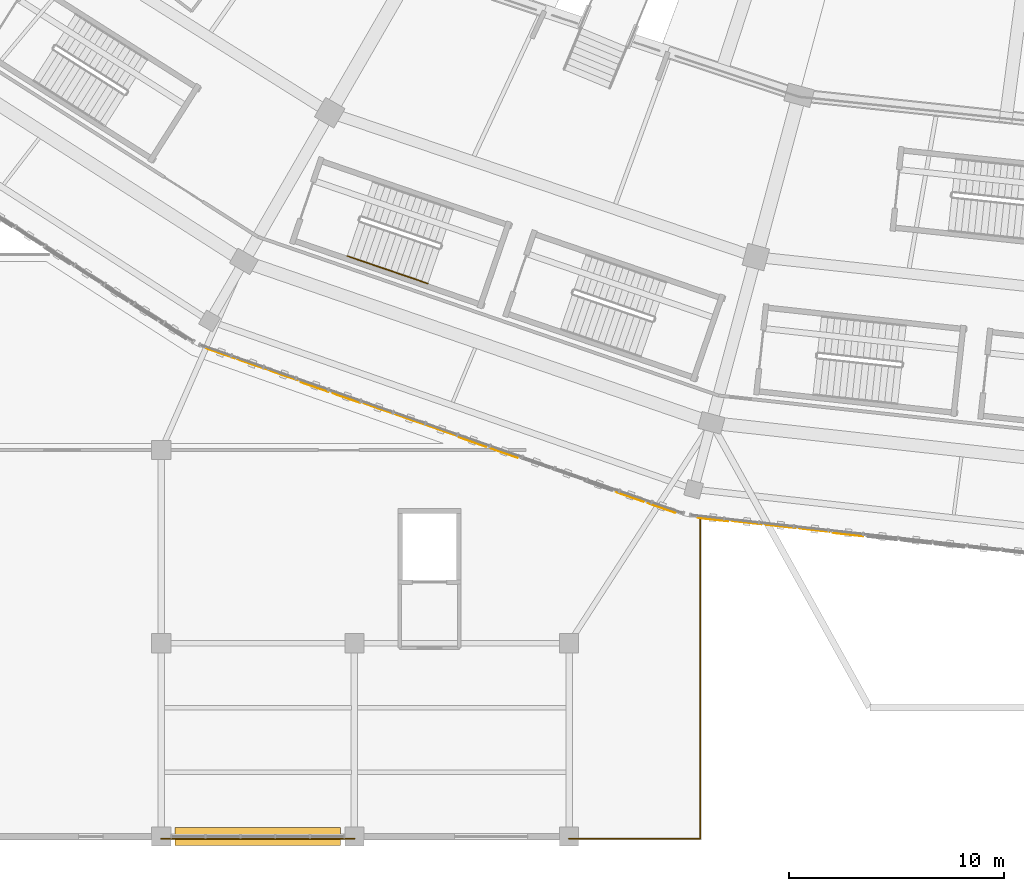
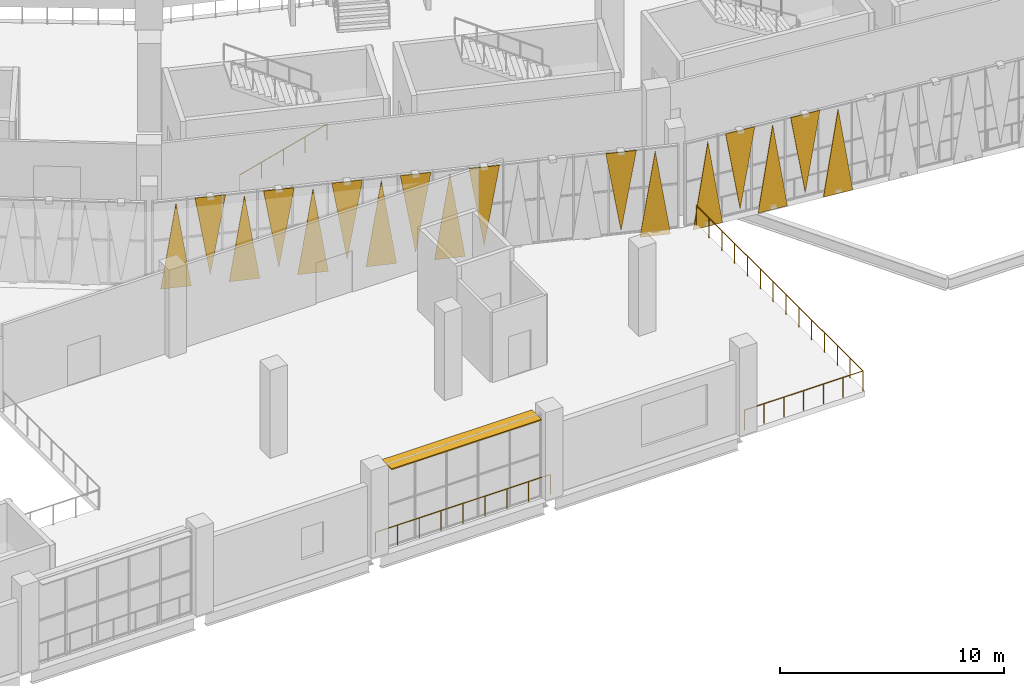
# One storey, part 132 of 183: 17 coverings, 4 railings, 1 shading device.
"""IFC4 building model written with IfcOpenShell, lengths in metres."""

from ifc_helpers import new_model, si_unit, direction, frame, origin, origin_2d, place, context, subcontext, project, spatial, polyline, rectangle, circle, outline, extrude, material, layer, layer_set, type_object, element, save


model = new_model("IFC4")

# Units and contexts
model_context = context("Model", 3, precision=1e-05, world=origin(), true_north=direction((0.0, 1.0)))
body_context = subcontext(model_context, "Body", "Model", "MODEL_VIEW")
ifc_project = project(units=[si_unit("LENGTHUNIT", "METRE"), si_unit("AREAUNIT", "SQUARE_METRE"), si_unit("VOLUMEUNIT", "CUBIC_METRE"), si_unit("PLANEANGLEUNIT", "RADIAN"), si_unit("MASSUNIT", "GRAM", prefix="KILO")], contexts=[model_context])

# Site, building, storey
site_placement = place(None, origin())
site = spatial("IfcSite", under=ifc_project, at=site_placement, CompositionType="ELEMENT")
building_placement = place(site_placement, origin())
building = spatial("IfcBuilding", under=site, at=building_placement, Name="Zevraka Park Crest Stadium", CompositionType="ELEMENT")
storey_placement = place(building_placement, frame((0.0, 0.0, 5.39990234375)))
storey = spatial("IfcBuildingStorey", under=building, at=storey_placement, Name="L01", CompositionType="ELEMENT", Elevation=5.39990234375)

# Coverings
ifc_material_1 = material(Name="Architectural golden-bronze perforated aluminium", Category="aluminium")
ifc_layer_1 = layer(ifc_material_1, 0.034912109375)
ifc_layer_set_1 = layer_set([ifc_layer_1], Name="Architectural golden-bronze perforated aluminium")
covering_type = type_object("IfcCoveringType", Name="CLD01", PredefinedType="CLADDING", material=ifc_layer_set_1)
covering_1_placement = place(storey_placement, frame((65.10009765625, 22.717041015625, -0.260009765625), z_axis=(-0.329742260213, -0.944070993413, 3.5000771e-05), x_axis=(0.944070993992, -0.329742260415, 0.0)))
element("IfcCovering", 1, at=covering_1_placement, inside=storey, type_object=covering_type, Name="Triangular Golden-Bronze Perforated Cladding L01-16-1", PredefinedType="CLADDING", context=body_context, shape_type="SweptSolid", body=[
    extrude(outline(polyline([(0.0, 0.0), (1.394910488333225, 0.0), (0.6979162163316475, 4.600097659067684), (0.0, 0.0)])), origin(), (0.0, 0.0, -1.0), 0.034912109375),
])
covering_2_placement = place(storey_placement, frame((67.885009765625, 21.74609375, 4.5), z_axis=(-0.329118071949, -0.944288766008, 0.000145283153), x_axis=(-0.944288775974, 0.329118075423, 0.0)))
element("IfcCovering", 2, at=covering_2_placement, inside=storey, type_object=covering_type, Name="Triangular Golden-Bronze Perforated Cladding L01-16-2", PredefinedType="CLADDING", context=body_context, shape_type="SweptSolid", body=[
    extrude(outline(polyline([(0.0, 0.0), (1.394588779149717, 0.0), (0.6975947658934869, 4.27978520141713), (0.0, 0.0)])), origin(), (0.0, 0.0, -1.0), 0.034912109375),
])
covering_3_placement = place(storey_placement, frame((68.035888671875, 21.693115234375, -0.260009765625), z_axis=(-0.329437513237, -0.944177370472, 0.000134017736), x_axis=(0.944177378951, -0.329437516195, 0.0)))
element("IfcCovering", 3, at=covering_3_placement, inside=storey, type_object=covering_type, Name="Triangular Golden-Bronze Perforated Cladding L01-16-3", PredefinedType="CLADDING", context=body_context, shape_type="SweptSolid", body=[
    extrude(outline(polyline([(0.0, 0.0), (1.3939775922580644, 0.0), (0.6969029794539805, 4.60009769756061), (0.0, 0.0)])), origin(), (0.0, 0.0, -1.0), 0.034912109375),
])
covering_4_placement = place(storey_placement, frame((70.820068359375, 20.721923828125, 4.5), z_axis=(0.329063673476, 0.944307722555, 0.000154664839), x_axis=(-0.94430773385, 0.329063677412, 0.0)))
element("IfcCovering", 4, at=covering_4_placement, inside=storey, type_object=covering_type, Name="Triangular Golden-Bronze Perforated Cladding L01-16-4", PredefinedType="CLADDING", context=body_context, shape_type="SweptSolid", body=[
    extrude(outline(polyline([(0.0, 0.0), (1.3948193207160489, 0.0), (0.6969939762809247, -4.279785207438826), (0.0, 0.0)])), origin(), (0.0, 0.0, -1.0), 0.034912109375),
])
covering_5_placement = place(storey_placement, frame((70.970947265625, 20.669921875, -0.260009765625), z_axis=(0.329281368902, 0.944231840292, 0.000108964248), x_axis=(0.944231845897, -0.329281370856, 0.0)))
element("IfcCovering", 5, at=covering_5_placement, inside=storey, type_object=covering_type, Name="Triangular Golden-Bronze Perforated Cladding L01-16-5", PredefinedType="CLADDING", context=body_context, shape_type="SweptSolid", body=[
    extrude(outline(polyline([(0.0, 0.0), (1.3938971822371224, 6.776263578034403e-21), (0.6969941103614237, -4.600097683558957), (0.0, 0.0)])), origin(), (0.0, 0.0, -1.0), 0.034912109375),
])
covering_6_placement = place(storey_placement, frame((73.7548828125, 19.698974609375, 4.5), z_axis=(-0.329335834581, -0.94421284489, 0.000107725367), x_axis=(-0.944212850369, 0.329335836492, 0.0)))
element("IfcCovering", 6, at=covering_6_placement, inside=storey, type_object=covering_type, Name="Triangular Golden-Bronze Perforated Cladding L01-16-6", PredefinedType="CLADDING", context=body_context, shape_type="SweptSolid", body=[
    extrude(outline(polyline([(0.0, 0.0), (1.3936666592027187, 0.0), (0.696672521087447, 4.2797851810829295), (0.0, 0.0)])), origin(), (0.0, 0.0, -1.0), 0.034912109375),
])
covering_7_placement = place(storey_placement, frame((73.906005859375, 19.64599609375, -0.260009765625), z_axis=(-0.329118074721, -0.944288773961, 6.5297813e-05), x_axis=(0.944288775974, -0.329118075423, 0.0)))
element("IfcCovering", 7, at=covering_7_placement, inside=storey, type_object=covering_type, Name="Triangular Golden-Bronze Perforated Cladding L01-16-7", PredefinedType="CLADDING", context=body_context, shape_type="SweptSolid", body=[
    extrude(outline(polyline([(0.0, 0.0), (1.394588779149717, -3.3881317890172014e-21), (0.6966726088857, 4.600097666056959), (0.0, 0.0)])), origin(), (0.0, 0.0, -1.0), 0.034912109375),
])
covering_8_placement = place(storey_placement, frame((76.68994140625, 18.675048828125, 4.5), z_axis=(-0.329960333753, -0.943994797734, 0.0), x_axis=(-0.943994797734, 0.329960333753, 0.0)))
element("IfcCovering", 8, at=covering_8_placement, inside=storey, type_object=covering_type, Name="Triangular Golden-Bronze Perforated Cladding L01-16-8", PredefinedType="CLADDING", context=body_context, shape_type="SweptSolid", body=[
    extrude(outline(polyline([(0.0, 0.0), (1.3939885811960602, 0.0), (0.6969942905980301, 4.27978515625), (0.0, 0.0)])), origin(), (0.0, 0.0, -1.0), 0.034912109375),
])
covering_9_placement = place(storey_placement, frame((76.841064453125, 18.623046875, -0.260009765625), z_axis=(0.329118074721, 0.944288773961, 6.5297813e-05), x_axis=(0.944288775974, -0.329118075423, 0.0)))
element("IfcCovering", 9, at=covering_9_placement, inside=storey, type_object=covering_type, Name="Triangular Golden-Bronze Perforated Cladding L01-16-9", PredefinedType="CLADDING", context=body_context, shape_type="SweptSolid", body=[
    extrude(outline(polyline([(0.0, 0.0), (1.394588779149717, -3.3881317890172014e-21), (0.697916170264017, -4.600097666056959), (0.0, 0.0)])), origin(), (0.0, 0.0, -1.0), 0.034912109375),
])
covering_10_placement = place(storey_placement, frame((79.625, 17.652099609375, 4.5), z_axis=(0.329335834581, 0.94421284489, 0.000107725367), x_axis=(-0.944212850369, 0.329335836492, 0.0)))
element("IfcCovering", 10, at=covering_10_placement, inside=storey, type_object=covering_type, Name="Triangular Golden-Bronze Perforated Cladding L01-16-10", PredefinedType="CLADDING", context=body_context, shape_type="SweptSolid", body=[
    extrude(outline(polyline([(0.0, 0.0), (1.3936666592027187, 0.0), (0.6969941381152717, -4.2797851810829295), (0.0, 0.0)])), origin(), (0.0, 0.0, -1.0), 0.034912109375),
])
covering_11_placement = place(storey_placement, frame((85.49609375, 15.60498046875, 4.5), z_axis=(0.329063674373, 0.94430772513, 0.000135893381), x_axis=(-0.94430773385, 0.329063677412, 0.0)))
element("IfcCovering", 11, at=covering_11_placement, inside=storey, type_object=covering_type, Name="Triangular Golden-Bronze Perforated Cladding L01-16-14", PredefinedType="CLADDING", context=body_context, shape_type="SweptSolid", body=[
    extrude(outline(polyline([(0.0, 0.0), (1.3948193207160489, 1.3552527156068805e-20), (0.6972245201612591, -4.2797851957674204), (0.0, 0.0)])), origin(), (0.0, 0.0, -1.0), 0.034912109375),
])
covering_12_placement = place(storey_placement, frame((85.64697265625, 15.552978515625, -0.260009765625), z_axis=(0.329687784051, 0.944090018554, 4.3743735e-05), x_axis=(0.944090019458, -0.329687784367, 0.0)))
element("IfcCovering", 12, at=covering_12_placement, inside=storey, type_object=covering_type, Name="Triangular Golden-Bronze Perforated Cladding L01-16-15", PredefinedType="CLADDING", context=body_context, shape_type="SweptSolid", body=[
    extrude(outline(polyline([(0.0, 0.0), (1.395140976738379, 3.3881317890172014e-21), (0.6969942615506728, -4.600097660651176), (0.0, 0.0)])), origin(), (0.0, 0.0, -1.0), 0.034912109375),
])
covering_13_placement = place(storey_placement, frame((87.990966796875, 14.861083984375, -0.260009765625), z_axis=(0.110111996878, 0.993919175554, 0.000143563419), x_axis=(0.993919185796, -0.110111998013, 0.0)))
element("IfcCovering", 13, at=covering_13_placement, inside=storey, type_object=covering_type, Name="Triangular Golden-Bronze Perforated Cladding L01-17-1", PredefinedType="CLADDING", context=body_context, shape_type="SweptSolid", body=[
    extrude(outline(polyline([(0.0, 0.0), (1.4256613694050126, 3.3881317890172014e-21), (0.712412579630104, -4.600097703655054), (0.0, 0.0)])), origin(), (0.0, 0.0, -1.0), 0.034912109375),
])
covering_14_placement = place(storey_placement, frame((90.98388671875, 14.529052734375, 4.5), z_axis=(-0.110111996702, -0.993919173963, 0.000154308153), x_axis=(-0.993919185796, 0.110111998013, 0.0)))
element("IfcCovering", 14, at=covering_14_placement, inside=storey, type_object=covering_type, Name="Triangular Golden-Bronze Perforated Cladding L01-17-2", PredefinedType="CLADDING", context=body_context, shape_type="SweptSolid", body=[
    extrude(outline(polyline([(0.0, 0.0), (1.4256613694050126, 3.3881317890172014e-21), (0.7132487897749087, 4.279785207202997), (0.0, 0.0)])), origin(), (0.0, 0.0, -1.0), 0.034912109375),
])
covering_15_placement = place(storey_placement, frame((91.14306640625, 14.510986328125, -0.260009765625), z_axis=(-0.110111996878, -0.993919175554, 0.000143563419), x_axis=(0.993919185796, -0.110111998013, 0.0)))
element("IfcCovering", 15, at=covering_15_placement, inside=storey, type_object=covering_type, Name="Triangular Golden-Bronze Perforated Cladding L01-17-3", PredefinedType="CLADDING", context=body_context, shape_type="SweptSolid", body=[
    extrude(outline(polyline([(0.0, 0.0), (1.4256613694050126, 3.3881317890172014e-21), (0.7132487897749087, 4.600097703655054), (0.0, 0.0)])), origin(), (0.0, 0.0, -1.0), 0.034912109375),
])
covering_16_placement = place(storey_placement, frame((94.135986328125, 14.179931640625, 4.5), z_axis=(-0.110111997724, -0.993919183185, 7.2484585e-05), x_axis=(-0.993919185796, 0.110111998013, 0.0)))
element("IfcCovering", 16, at=covering_16_placement, inside=storey, type_object=covering_type, Name="Triangular Golden-Bronze Perforated Cladding L01-17-4", PredefinedType="CLADDING", context=body_context, shape_type="SweptSolid", body=[
    extrude(outline(polyline([(0.0, 0.0), (1.4256613694050126, 1.6940658945086007e-21), (0.7123050483820446, 4.279785167493028), (0.0, 0.0)])), origin(), (0.0, 0.0, -1.0), 0.034912109375),
])
covering_17_placement = place(storey_placement, frame((94.294921875, 14.162109375, -0.260009765625), z_axis=(0.110281163702, 0.993900425664, 9.3792513e-05), x_axis=(0.993900430036, -0.110281164187, 0.0)))
element("IfcCovering", 17, at=covering_17_placement, inside=storey, type_object=covering_type, Name="Triangular Golden-Bronze Perforated Cladding L01-17-5", PredefinedType="CLADDING", context=body_context, shape_type="SweptSolid", body=[
    extrude(outline(polyline([(0.0, 0.0), (1.42568827286739, 3.3881317890172014e-21), (0.7133832876027493, -4.600097676483612), (0.0, 0.0)])), origin(), (0.0, 0.0, -1.0), 0.034912109375),
])

# Railings
ifc_material_2 = material(Name="Galvanised and bronze-finished steel balustrade", Category="steel")
railing_type_1 = type_object("IfcRailingType", Name="GR01", PredefinedType="GUARDRAIL", material=ifc_material_2)
railing_1_placement = place(storey_placement, frame((88.10498046875, 14.77294921875, 0.0)))
element("IfcRailing", 18, at=railing_1_placement, inside=storey, type_object=railing_type_1, Name="Deck Edge Protection Guardrail GR01 L01-35", PredefinedType="GUARDRAIL", context=body_context, shape_type="SweptSolid", body=[
    extrude(circle(Radius=0.02392578125, at=origin_2d()), frame((0.0, 0.0, 1.076171875), z_axis=(0.0, -1.0, 0.0), x_axis=(1.0, 0.0, 0.0)), (0.0, 0.0, 1.0), 14.8779296875),
    extrude(circle(Radius=0.02099609375, at=origin_2d()), origin(), (0.0, 0.0, 1.0), 1.052001953125),
    extrude(circle(Radius=0.02099609375, at=origin_2d()), frame((0.0, -1.14453125, 0.0)), (0.0, 0.0, 1.0), 1.052001953125),
    extrude(circle(Radius=0.02099609375, at=origin_2d()), frame((0.0, -2.288818359375, 0.0)), (0.0, 0.0, 1.0), 1.052001953125),
    extrude(circle(Radius=0.02099609375, at=origin_2d()), frame((0.0, -3.433349609375, 0.0)), (0.0, 0.0, 1.0), 1.052001953125),
    extrude(circle(Radius=0.02099609375, at=origin_2d()), frame((0.0, -4.577880859375, 0.0)), (0.0, 0.0, 1.0), 1.052001953125),
    extrude(circle(Radius=0.02099609375, at=origin_2d()), frame((0.0, -5.72216796875, 0.0)), (0.0, 0.0, 1.0), 1.052001953125),
    extrude(circle(Radius=0.02099609375, at=origin_2d()), frame((0.0, -6.86669921875, 0.0)), (0.0, 0.0, 1.0), 1.052001953125),
    extrude(circle(Radius=0.02099609375, at=origin_2d()), frame((0.0, -8.01123046875, 0.0)), (0.0, 0.0, 1.0), 1.052001953125),
    extrude(circle(Radius=0.02099609375, at=origin_2d()), frame((0.0, -9.15576171875, 0.0)), (0.0, 0.0, 1.0), 1.052001953125),
    extrude(circle(Radius=0.02099609375, at=origin_2d()), frame((0.0, -10.300048828125, 0.0)), (0.0, 0.0, 1.0), 1.052001953125),
    extrude(circle(Radius=0.02099609375, at=origin_2d()), frame((0.0, -11.444580078125, 0.0)), (0.0, 0.0, 1.0), 1.052001953125),
    extrude(circle(Radius=0.02099609375, at=origin_2d()), frame((0.0, -12.589111328125, 0.0)), (0.0, 0.0, 1.0), 1.052001953125),
    extrude(circle(Radius=0.02099609375, at=origin_2d()), frame((0.0, -13.7333984375, 0.0)), (0.0, 0.0, 1.0), 1.052001953125),
    extrude(circle(Radius=0.02099609375, at=origin_2d()), frame((0.0, -14.8779296875, 0.0)), (0.0, 0.0, 1.0), 1.052001953125),
])
railing_2_placement = place(storey_placement, frame((88.10498046875, -0.10498046875, 0.0)))
element("IfcRailing", 19, at=railing_2_placement, inside=storey, type_object=railing_type_1, Name="Deck Edge Protection Guardrail GR01 L01-36", PredefinedType="GUARDRAIL", context=body_context, shape_type="SweptSolid", body=[
    extrude(circle(Radius=0.02392578125, at=origin_2d()), frame((0.0, 0.0, 1.076171875), z_axis=(-1.0, 0.0, 0.0), x_axis=(0.0, -1.0, 0.0)), (0.0, 0.0, 1.0), 6.114013671875),
    extrude(circle(Radius=0.02099609375, at=origin_2d()), origin(), (0.0, 0.0, 1.0), 1.052001953125),
    extrude(circle(Radius=0.02099609375, at=origin_2d()), frame((-1.01904296875, 0.0, 0.0)), (0.0, 0.0, 1.0), 1.052001953125),
    extrude(circle(Radius=0.02099609375, at=origin_2d()), frame((-2.0380859375, 0.0, 0.0)), (0.0, 0.0, 1.0), 1.052001953125),
    extrude(circle(Radius=0.02099609375, at=origin_2d()), frame((-3.05712890625, 0.0, 0.0)), (0.0, 0.0, 1.0), 1.052001953125),
    extrude(circle(Radius=0.02099609375, at=origin_2d()), frame((-4.075927734375, 0.0, 0.0)), (0.0, 0.0, 1.0), 1.052001953125),
    extrude(circle(Radius=0.02099609375, at=origin_2d()), frame((-5.094970703125, 0.0, 0.0)), (0.0, 0.0, 1.0), 1.052001953125),
    extrude(circle(Radius=0.02099609375, at=origin_2d()), frame((-6.114013671875, 0.0, 0.0)), (0.0, 0.0, 1.0), 1.052001953125),
])
railing_3_placement = place(storey_placement, frame((72.009033203125, -0.10498046875, 0.0)))
element("IfcRailing", 20, at=railing_3_placement, inside=storey, type_object=railing_type_1, Name="Deck Edge Protection Guardrail GR01 L01-37", PredefinedType="GUARDRAIL", context=body_context, shape_type="SweptSolid", body=[
    extrude(circle(Radius=0.02392578125, at=origin_2d()), frame((0.0, 0.0, 1.076171875), z_axis=(-1.0, 0.0, 0.0), x_axis=(0.0, -1.0, 0.0)), (0.0, 0.0, 1.0), 9.01806640625),
    extrude(circle(Radius=0.02099609375, at=origin_2d()), origin(), (0.0, 0.0, 1.0), 1.052001953125),
    extrude(circle(Radius=0.02099609375, at=origin_2d()), frame((-1.127197265625, 0.0, 0.0)), (0.0, 0.0, 1.0), 1.052001953125),
    extrude(circle(Radius=0.02099609375, at=origin_2d()), frame((-2.25439453125, 0.0, 0.0)), (0.0, 0.0, 1.0), 1.052001953125),
    extrude(circle(Radius=0.02099609375, at=origin_2d()), frame((-3.3818359375, 0.0, 0.0)), (0.0, 0.0, 1.0), 1.052001953125),
    extrude(circle(Radius=0.02099609375, at=origin_2d()), frame((-4.509033203125, 0.0, 0.0)), (0.0, 0.0, 1.0), 1.052001953125),
    extrude(circle(Radius=0.02099609375, at=origin_2d()), frame((-5.63623046875, 0.0, 0.0)), (0.0, 0.0, 1.0), 1.052001953125),
    extrude(circle(Radius=0.02099609375, at=origin_2d()), frame((-6.763671875, 0.0, 0.0)), (0.0, 0.0, 1.0), 1.052001953125),
    extrude(circle(Radius=0.02099609375, at=origin_2d()), frame((-7.890869140625, 0.0, 0.0)), (0.0, 0.0, 1.0), 1.052001953125),
    extrude(circle(Radius=0.02099609375, at=origin_2d()), frame((-9.01806640625, 0.0, 0.0)), (0.0, 0.0, 1.0), 1.052001953125),
])
ifc_material_3 = material(Name="Brushed stainless steel continuous handrail", Category="steel")
railing_type_2 = type_object("IfcRailingType", Name="HR01", PredefinedType="HANDRAIL", material=ifc_material_3)
railing_4_placement = place(storey_placement, frame((71.66748046875, 27.041259765625, 0.171630859375)))
element("IfcRailing", 21, at=railing_4_placement, inside=storey, type_object=railing_type_2, Name="L01 ST17 stair handrail 1", PredefinedType="HANDRAIL", context=body_context, shape_type="SweptSolid", body=[
    extrude(circle(Radius=0.02392578125, at=origin_2d()), frame((0.0, 0.0, 0.8759765625), z_axis=(0.824722129126, -0.28240452495, 0.489980707801), x_axis=(0.323957490722, 0.946071637988, 0.0)), (0.0, 0.0, 1.0), 4.548095703125),
    extrude(circle(Radius=0.02099609375, at=origin_2d()), origin(), (0.0, 0.0, 1.0), 0.851806640625),
    extrude(circle(Radius=0.02099609375, at=origin_2d()), frame((0.937744140625, -0.321044921875, 0.55712890625)), (0.0, 0.0, 1.0), 0.851806640625),
    extrude(circle(Radius=0.02099609375, at=origin_2d()), frame((1.87548828125, -0.64208984375, 1.1142578125)), (0.0, 0.0, 1.0), 0.851806640625),
    extrude(circle(Radius=0.02099609375, at=origin_2d()), frame((2.813232421875, -0.96337890625, 1.67138671875)), (0.0, 0.0, 1.0), 0.851806640625),
    extrude(circle(Radius=0.02099609375, at=origin_2d()), frame((3.7509765625, -1.284423828125, 2.228515625)), (0.0, 0.0, 1.0), 0.851806640625),
])

# Shading device
ifc_material_4 = material(Name="Architectural golden-bronze anodised bronze", Category="aluminium")
ifc_layer_2 = layer(ifc_material_4, 0.06005859375)
ifc_layer_set_2 = layer_set([ifc_layer_2], Name="Architectural golden-bronze anodised bronze")
shading_device_type = type_object("IfcShadingDeviceType", Name="SHD01", PredefinedType="USERDEFINED", material=ifc_layer_set_2)
shading_device_placement = place(storey_placement, frame((67.5, 0.0, 4.440185546875), z_axis=(0.0, 0.0, 1.0), x_axis=(-1.0, 0.0, 0.0)))
element("IfcShadingDevice", 22, at=shading_device_placement, inside=storey, type_object=shading_device_type, Name="Wing Bronze Solar Screen SHD01 L01-SW-S1-2", ObjectType="SOLAR SCREEN", PredefinedType="USERDEFINED", context=body_context, shape_type="SweptSolid", body=[
    extrude(rectangle(XDim=7.719970703125, YDim=0.85009765625, at=origin_2d()), origin(), (0.0, 0.0, 1.0), 0.06005859375),
])

save(model, "model.ifc")
